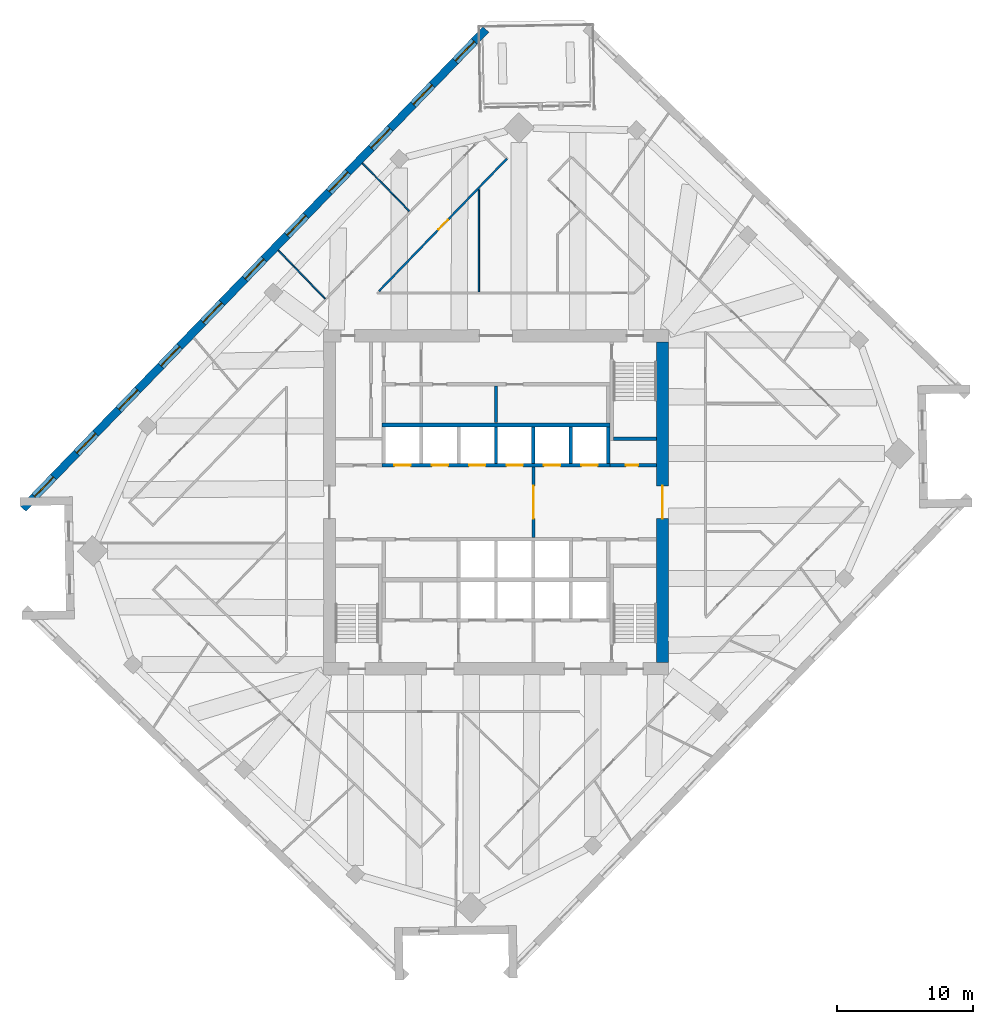
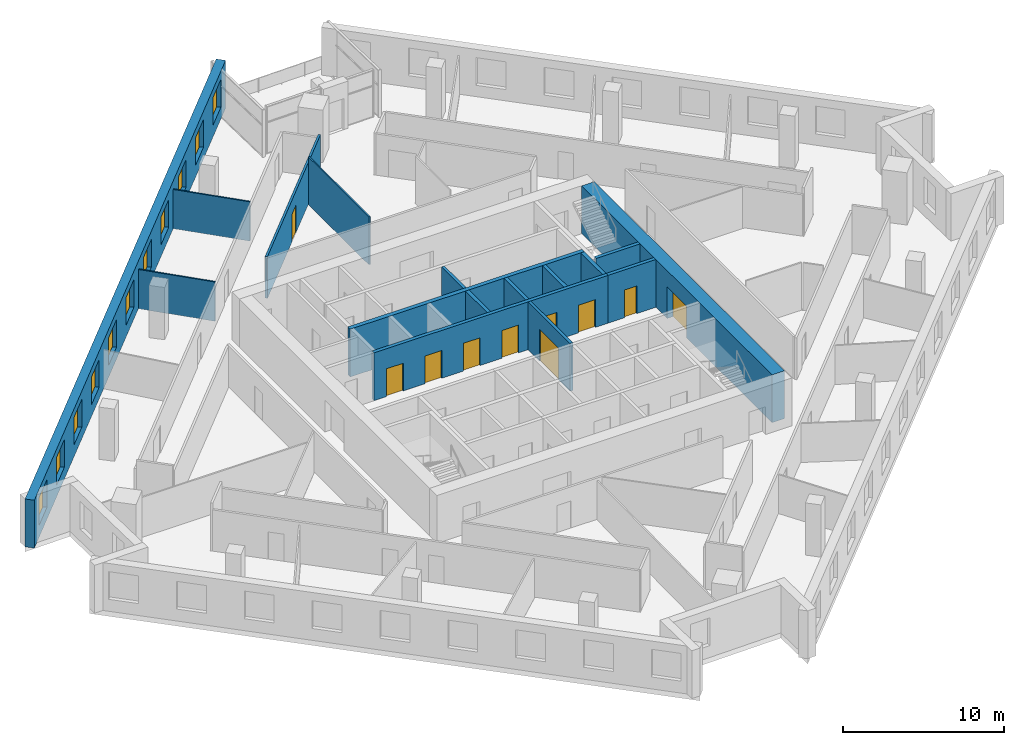
# One storey, part 9 of 13: 16 walls, 11 windows, 10 doors, 21 openings.
"""IFC4 building model written with IfcOpenShell, lengths in metres."""

from ifc_helpers import new_model, si_unit, direction, frame, frame_2d, origin, place, context, subcontext, project, spatial, rectangle, extrude, material, layer, layer_set, type_object, element, fill, save


model = new_model("IFC4")

# Units and contexts
model_context = context("Model", 3, precision=1e-05, world=origin(), true_north=direction((0.0, 1.0)))
body_context = subcontext(model_context, "Body", "Model", "MODEL_VIEW")
ifc_project = project(units=[si_unit("LENGTHUNIT", "METRE"), si_unit("AREAUNIT", "SQUARE_METRE"), si_unit("VOLUMEUNIT", "CUBIC_METRE"), si_unit("PLANEANGLEUNIT", "RADIAN"), si_unit("MASSUNIT", "GRAM", prefix="KILO")], contexts=[model_context])

# Site, building, storey
site_placement = place(None, origin())
site = spatial("IfcSite", under=ifc_project, at=site_placement, CompositionType="ELEMENT")
building_placement = place(site_placement, origin())
building = spatial("IfcBuilding", under=site, at=building_placement, Name="Dilmun Exchange Tower", CompositionType="ELEMENT")
storey_placement = place(building_placement, frame((0.0, 0.0, 213.300048828125)))
storey = spatial("IfcBuildingStorey", under=building, at=storey_placement, Name="L50", CompositionType="ELEMENT", Elevation=213.300048828125)

# Wall, opening, door
ifc_material_1 = material(Name="Concrete C40/50", Category="concrete")
ifc_layer_1 = layer(ifc_material_1, 0.199951171875)
ifc_layer_set_1 = layer_set([ifc_layer_1], Name="Concrete C40/50")
wall_type_1 = type_object("IfcWallType", Name="Core partition wall 200", PredefinedType="PARTITIONING", material=ifc_layer_set_1)
wall_1_placement = place(storey_placement, frame((2.75, -2.594970703125, 0.0), z_axis=(0.0, 0.0, 1.0), x_axis=(0.0, 1.0, 0.0)))
wall_1 = element("IfcWall", 1, at=wall_1_placement, inside=storey, type_object=wall_type_1, Name="L50 core partition wall 11", PredefinedType="PARTITIONING", context=body_context, shape_type="SweptSolid", body=[
    extrude(rectangle(XDim=5.18994140625, YDim=0.199951171875, at=frame_2d((2.594970703125, 0.0))), origin(), (0.0, 0.0, 1.0), 3.619873046875),
])
opening_1_placement = place(wall_1_placement, frame((1.39501953125, 0.0, 0.0)))
opening_1 = element("IfcOpeningElement", 2, at=opening_1_placement, cuts=wall_1, Name="Opening CD1", PredefinedType="OPENING", context=body_context, shape_type="SweptSolid", body=[
    extrude(rectangle(XDim=2.39990234375, YDim=2.39990234375, at=frame_2d((1.199951171875, 1.199951171875))), frame((0.0, 0.10986328125, 0.0), z_axis=(0.0, -1.0, 0.0), x_axis=(1.0, 0.0, 0.0)), (0.0, 0.0, 1.0), 0.219970703125),
])
ifc_material_2 = material(Name="Fire-rated steel door set", Category="steel")
door_type_1 = type_object("IfcDoorType", Name="Core lobby door 2400x2400", OperationType="DOUBLE_DOOR_DOUBLE_SWING", PredefinedType="DOOR", material=ifc_material_2)
door_1_placement = place(opening_1_placement, origin())
door_1 = element("IfcDoor", 3, at=door_1_placement, inside=storey, type_object=door_type_1, Name="L50 door Lift lobby east", OperationType="SINGLE_SWING_LEFT", OverallHeight=2.39990234375, OverallWidth=2.39990234375, PredefinedType="DOOR", context=body_context, shape_type="SweptSolid", body=[
    extrude(rectangle(XDim=2.39990234375, YDim=2.39990234375, at=frame_2d((1.199951171875, 1.199951171875))), frame((0.0, 0.02490234375, 0.0), z_axis=(0.0, -1.0, 0.0), x_axis=(1.0, 0.0, 0.0)), (0.0, 0.0, 1.0), 0.050048828125),
])
fill(opening_1, door_1)

# Wall
wall_2_placement = place(storey_placement, frame((0.0, 5.85498046875, 0.0), z_axis=(0.0, 0.0, 1.0), x_axis=(0.0, 1.0, 0.0)))
element("IfcWall", 4, at=wall_2_placement, inside=storey, type_object=wall_type_1, Name="L50 core partition wall 18", PredefinedType="PARTITIONING", context=body_context, shape_type="SweptSolid", body=[
    extrude(rectangle(XDim=2.68994140625, YDim=0.199951171875, at=frame_2d((1.344970703125, 0.0))), origin(), (0.0, 0.0, 1.0), 3.619873046875),
])

# Wall, opening, door
ifc_layer_2 = layer(ifc_material_1, 0.25)
ifc_layer_set_2 = layer_set([ifc_layer_2], Name="Concrete C40/50")
wall_type_2 = type_object("IfcWallType", Name="Core partition wall 250", PredefinedType="PARTITIONING", material=ifc_layer_set_2)
wall_3_placement = place(storey_placement, frame((8.3798828125, 2.72509765625, 0.0), z_axis=(0.0, 0.0, 1.0), x_axis=(1.0, 0.0, 0.0)))
wall_3 = element("IfcWall", 5, at=wall_3_placement, inside=storey, type_object=wall_type_2, Name="L50 core partition wall 13", PredefinedType="PARTITIONING", context=body_context, shape_type="SweptSolid", body=[
    extrude(rectangle(XDim=3.4150390625, YDim=0.25, at=frame_2d((1.70751953125, 0.0))), origin(), (0.0, 0.0, 1.0), 3.619873046875),
])
opening_2_placement = place(wall_3_placement, frame((1.169921875, 0.0, 0.0)))
opening_2 = element("IfcOpeningElement", 6, at=opening_2_placement, cuts=wall_3, Name="Opening CD6", PredefinedType="OPENING", context=body_context, shape_type="SweptSolid", body=[
    extrude(rectangle(XDim=0.89990234375, YDim=2.10009765625, at=frame_2d((0.449951171875, 1.050048828125))), frame((0.0, 0.135009765625, 0.0), z_axis=(0.0, -1.0, 0.0), x_axis=(1.0, 0.0, 0.0)), (0.0, 0.0, 1.0), 0.27001953125),
])
door_type_2 = type_object("IfcDoorType", Name="Core room door 900x2100", OperationType="SINGLE_SWING_LEFT", PredefinedType="DOOR", material=ifc_material_2)
door_2_placement = place(opening_2_placement, origin())
door_2 = element("IfcDoor", 7, at=door_2_placement, inside=storey, type_object=door_type_2, Name="L50 door Electrical riser", OperationType="SINGLE_SWING_LEFT", OverallHeight=2.10009765625, OverallWidth=0.89990234375, PredefinedType="DOOR", context=body_context, shape_type="SweptSolid", body=[
    extrude(rectangle(XDim=0.89990234375, YDim=2.10009765625, at=frame_2d((0.449951171875, 1.050048828125))), frame((0.0, 0.02490234375, 0.0), z_axis=(0.0, -1.0, 0.0), x_axis=(1.0, 0.0, 0.0)), (0.0, 0.0, 1.0), 0.050048828125),
])
fill(opening_2, door_2)

ifc_material_3 = material(Name="Concrete C60/75", Category="concrete")
ifc_layer_3 = layer(ifc_material_3, 0.89990234375)
ifc_layer_set_3 = layer_set([ifc_layer_3], Name="Concrete C60/75")
wall_type_3 = type_object("IfcWallType", Name="Core shear wall 900 Concrete C60/75", PredefinedType="SHEAR", material=ifc_layer_set_3)
wall_4_placement = place(storey_placement, frame((12.25, -11.800048828125, 0.0), z_axis=(0.0, 0.0, 1.0), x_axis=(0.0, 1.0, 0.0)))
wall_4 = element("IfcWall", 8, at=wall_4_placement, inside=storey, type_object=wall_type_3, Name="L50 core shear wall E", PredefinedType="SHEAR", context=body_context, shape_type="SweptSolid", body=[
    extrude(rectangle(XDim=23.60009765625, YDim=0.89990234375, at=frame_2d((11.800048828125, 0.0))), origin(), (0.0, 0.0, 1.0), 3.619873046875),
])
opening_3_placement = place(wall_4_placement, frame((10.60009765625, 0.0, 0.0)))
opening_3 = element("IfcOpeningElement", 9, at=opening_3_placement, cuts=wall_4, Name="Opening CD1", PredefinedType="OPENING", context=body_context, shape_type="SweptSolid", body=[
    extrude(rectangle(XDim=2.39990234375, YDim=2.39990234375, at=frame_2d((1.199951171875, 1.199951171875))), frame((0.0, 0.4599609375, 0.0), z_axis=(0.0, -1.0, 0.0), x_axis=(1.0, 0.0, 0.0)), (0.0, 0.0, 1.0), 0.919921875),
])
door_3_placement = place(opening_3_placement, origin())
door_3 = element("IfcDoor", 10, at=door_3_placement, inside=storey, type_object=door_type_1, Name="L50 door Central lift lobby", OperationType="SINGLE_SWING_LEFT", OverallHeight=2.39990234375, OverallWidth=2.39990234375, PredefinedType="DOOR", context=body_context, shape_type="SweptSolid", body=[
    extrude(rectangle(XDim=2.39990234375, YDim=2.39990234375, at=frame_2d((1.199951171875, 1.199951171875))), frame((0.0, 0.02490234375, 0.0), z_axis=(0.0, -1.0, 0.0), x_axis=(1.0, 0.0, 0.0)), (0.0, 0.0, 1.0), 0.050048828125),
])
fill(opening_3, door_3)

ifc_material_4 = material(Name="Corridor wall 150")
ifc_layer_4 = layer(ifc_material_4, 0.14990234375)
ifc_layer_set_4 = layer_set([ifc_layer_4], Name="Corridor wall 150")
wall_type_4 = type_object("IfcWallType", Name="Corridor wall 150", PredefinedType="PARTITIONING", material=ifc_layer_set_4)
wall_5_placement = place(storey_placement, frame((-8.6142578125, 15.527099609375, 0.0), z_axis=(0.0, 0.0, 1.0), x_axis=(0.694688688922, 0.719310520905, 0.0)))
wall_5 = element("IfcWall", 11, at=wall_5_placement, inside=storey, type_object=wall_type_4, Name="Corridor wall", PredefinedType="PARTITIONING", context=body_context, shape_type="SweptSolid", body=[
    extrude(rectangle(XDim=13.5546875, YDim=0.14990234375, at=frame_2d((6.77734375, 0.0))), origin(), (0.0, 0.0, 1.0), 3.169921875),
])
opening_4_placement = place(wall_5_placement, frame((6.300048828125, 0.0, 0.0)))
opening_4 = element("IfcOpeningElement", 12, at=opening_4_placement, cuts=wall_5, Name="Opening TF48-D10", PredefinedType="OPENING", context=body_context, shape_type="SweptSolid", body=[
    extrude(rectangle(XDim=1.0, YDim=2.10009765625, at=frame_2d((0.5, 1.050048828125))), frame((0.0, 0.0849609375, 0.0), z_axis=(0.0, -1.0, 0.0), x_axis=(1.0, 0.0, 0.0)), (0.0, 0.0, 1.0), 0.169921875),
])
ifc_material_5 = material(Name="Fire door 1000 x 2100")
door_type_3 = type_object("IfcDoorType", Name="Fire door 1000 x 2100", OperationType="NOTDEFINED", PredefinedType="DOOR", material=ifc_material_5)
door_4_placement = place(opening_4_placement, frame((1.0, 0.0, 0.0), z_axis=(0.0, 0.0, 1.0), x_axis=(-1.0, 0.0, 0.0)))
door_4 = element("IfcDoor", 13, at=door_4_placement, inside=storey, type_object=door_type_3, Name="Door TF48-D10", OperationType="SINGLE_SWING_RIGHT", OverallHeight=2.10009765625, OverallWidth=1.0, PredefinedType="DOOR", context=body_context, shape_type="SweptSolid", body=[
    extrude(rectangle(XDim=1.0, YDim=2.10009765625, at=frame_2d((0.5, 1.050048828125))), frame((0.0, 0.02490234375, 0.0), z_axis=(0.0, -1.0, 0.0), x_axis=(1.0, 0.0, 0.0)), (0.0, 0.0, 1.0), 0.050048828125),
])
fill(opening_4, door_4)

# Wall
ifc_layer_5 = layer(ifc_material_1, 0.300048828125)
ifc_layer_set_5 = layer_set([ifc_layer_5], Name="Concrete C40/50")
wall_type_5 = type_object("IfcWallType", Name="Lift shaft shared wall 300", PredefinedType="SOLIDWALL", material=ifc_layer_set_5)
wall_6_placement = place(storey_placement, frame((-8.375, 5.699951171875, 0.0), z_axis=(0.0, 0.0, 1.0), x_axis=(1.0, 0.0, 0.0)))
element("IfcWall", 14, at=wall_6_placement, inside=storey, type_object=wall_type_5, Name="L50 lift shaft rear wall N", PredefinedType="SOLIDWALL", context=body_context, shape_type="SweptSolid", body=[
    extrude(rectangle(XDim=16.75, YDim=0.300048828125, at=frame_2d((8.375, 0.0))), origin(), (0.0, 0.0, 1.0), 3.619873046875),
])

# Wall, openings, doors
ifc_layer_6 = layer(ifc_material_1, 0.25)
ifc_layer_set_6 = layer_set([ifc_layer_6], Name="Concrete C40/50")
wall_type_6 = type_object("IfcWallType", Name="Lift shaft wall 250", PredefinedType="SOLIDWALL", material=ifc_layer_set_6)
wall_7_placement = place(storey_placement, frame((-8.375, 2.72509765625, 0.0), z_axis=(0.0, 0.0, 1.0), x_axis=(1.0, 0.0, 0.0)))
wall_7 = element("IfcWall", 15, at=wall_7_placement, inside=storey, type_object=wall_type_6, Name="L50 lift shaft front wall N1", PredefinedType="SOLIDWALL", context=body_context, shape_type="SweptSolid", body=[
    extrude(rectangle(XDim=16.75, YDim=0.25, at=frame_2d((8.375, 0.0))), origin(), (0.0, 0.0, 1.0), 3.619873046875),
])
opening_5_placement = place(wall_7_placement, frame((0.89990234375, 0.0, 0.0)))
opening_5 = element("IfcOpeningElement", 16, at=opening_5_placement, cuts=wall_7, Name="Opening LD", PredefinedType="OPENING", context=body_context, shape_type="SweptSolid", body=[
    extrude(rectangle(XDim=1.199951171875, YDim=2.10009765625, at=frame_2d((0.60009765625, 1.050048828125))), frame((0.0, 0.135009765625, 0.0), z_axis=(0.0, -1.0, 0.0), x_axis=(1.0, 0.0, 0.0)), (0.0, 0.0, 1.0), 0.27001953125),
])
opening_6_placement = place(wall_7_placement, frame((3.64990234375, 0.0, 0.0)))
opening_6 = element("IfcOpeningElement", 17, at=opening_6_placement, cuts=wall_7, Name="Opening LD", PredefinedType="OPENING", context=body_context, shape_type="SweptSolid", body=[
    extrude(rectangle(XDim=1.199951171875, YDim=2.10009765625, at=frame_2d((0.60009765625, 1.050048828125))), frame((0.0, 0.135009765625, 0.0), z_axis=(0.0, -1.0, 0.0), x_axis=(1.0, 0.0, 0.0)), (0.0, 0.0, 1.0), 0.27001953125),
])
opening_7_placement = place(wall_7_placement, frame((6.39990234375, 0.0, 0.0)))
opening_7 = element("IfcOpeningElement", 18, at=opening_7_placement, cuts=wall_7, Name="Opening LD", PredefinedType="OPENING", context=body_context, shape_type="SweptSolid", body=[
    extrude(rectangle(XDim=1.199951171875, YDim=2.10009765625, at=frame_2d((0.60009765625, 1.050048828125))), frame((0.0, 0.135009765625, 0.0), z_axis=(0.0, -1.0, 0.0), x_axis=(1.0, 0.0, 0.0)), (0.0, 0.0, 1.0), 0.27001953125),
])
opening_8_placement = place(wall_7_placement, frame((9.14990234375, 0.0, 0.0)))
opening_8 = element("IfcOpeningElement", 19, at=opening_8_placement, cuts=wall_7, Name="Opening LD", PredefinedType="OPENING", context=body_context, shape_type="SweptSolid", body=[
    extrude(rectangle(XDim=1.199951171875, YDim=2.10009765625, at=frame_2d((0.60009765625, 1.050048828125))), frame((0.0, 0.135009765625, 0.0), z_axis=(0.0, -1.0, 0.0), x_axis=(1.0, 0.0, 0.0)), (0.0, 0.0, 1.0), 0.27001953125),
])
opening_9_placement = place(wall_7_placement, frame((11.89990234375, 0.0, 0.0)))
opening_9 = element("IfcOpeningElement", 20, at=opening_9_placement, cuts=wall_7, Name="Opening LD", PredefinedType="OPENING", context=body_context, shape_type="SweptSolid", body=[
    extrude(rectangle(XDim=1.199951171875, YDim=2.10009765625, at=frame_2d((0.60009765625, 1.050048828125))), frame((0.0, 0.135009765625, 0.0), z_axis=(0.0, -1.0, 0.0), x_axis=(1.0, 0.0, 0.0)), (0.0, 0.0, 1.0), 0.27001953125),
])
opening_10_placement = place(wall_7_placement, frame((14.64990234375, 0.0, 0.0)))
opening_10 = element("IfcOpeningElement", 21, at=opening_10_placement, cuts=wall_7, Name="Opening LD", PredefinedType="OPENING", context=body_context, shape_type="SweptSolid", body=[
    extrude(rectangle(XDim=1.199951171875, YDim=2.10009765625, at=frame_2d((0.60009765625, 1.050048828125))), frame((0.0, 0.135009765625, 0.0), z_axis=(0.0, -1.0, 0.0), x_axis=(1.0, 0.0, 0.0)), (0.0, 0.0, 1.0), 0.27001953125),
])
door_type_4 = type_object("IfcDoorType", Name="Lift landing door 1200x2100", OperationType="DOUBLE_DOOR_SLIDING", PredefinedType="DOOR", material=ifc_material_2)
door_5_placement = place(opening_5_placement, origin())
door_5 = element("IfcDoor", 22, at=door_5_placement, inside=storey, type_object=door_type_4, Name="L50 landing door MR1", OperationType="DOUBLE_DOOR_SLIDING", OverallHeight=2.10009765625, OverallWidth=1.199951171875, PredefinedType="DOOR", context=body_context, shape_type="SweptSolid", body=[
    extrude(rectangle(XDim=1.199951171875, YDim=2.10009765625, at=frame_2d((0.60009765625, 1.050048828125))), frame((0.0, 0.02490234375, 0.0), z_axis=(0.0, -1.0, 0.0), x_axis=(1.0, 0.0, 0.0)), (0.0, 0.0, 1.0), 0.050048828125),
])
fill(opening_5, door_5)
door_6_placement = place(opening_6_placement, origin())
door_6 = element("IfcDoor", 23, at=door_6_placement, inside=storey, type_object=door_type_4, Name="L50 landing door MR2", OperationType="DOUBLE_DOOR_SLIDING", OverallHeight=2.10009765625, OverallWidth=1.199951171875, PredefinedType="DOOR", context=body_context, shape_type="SweptSolid", body=[
    extrude(rectangle(XDim=1.199951171875, YDim=2.10009765625, at=frame_2d((0.60009765625, 1.050048828125))), frame((0.0, 0.02490234375, 0.0), z_axis=(0.0, -1.0, 0.0), x_axis=(1.0, 0.0, 0.0)), (0.0, 0.0, 1.0), 0.050048828125),
])
fill(opening_6, door_6)
door_7_placement = place(opening_7_placement, origin())
door_7 = element("IfcDoor", 24, at=door_7_placement, inside=storey, type_object=door_type_4, Name="L50 landing door MR3", OperationType="DOUBLE_DOOR_SLIDING", OverallHeight=2.10009765625, OverallWidth=1.199951171875, PredefinedType="DOOR", context=body_context, shape_type="SweptSolid", body=[
    extrude(rectangle(XDim=1.199951171875, YDim=2.10009765625, at=frame_2d((0.60009765625, 1.050048828125))), frame((0.0, 0.02490234375, 0.0), z_axis=(0.0, -1.0, 0.0), x_axis=(1.0, 0.0, 0.0)), (0.0, 0.0, 1.0), 0.050048828125),
])
fill(opening_7, door_7)
door_8_placement = place(opening_8_placement, origin())
door_8 = element("IfcDoor", 25, at=door_8_placement, inside=storey, type_object=door_type_4, Name="L50 landing door MR4", OperationType="DOUBLE_DOOR_SLIDING", OverallHeight=2.10009765625, OverallWidth=1.199951171875, PredefinedType="DOOR", context=body_context, shape_type="SweptSolid", body=[
    extrude(rectangle(XDim=1.199951171875, YDim=2.10009765625, at=frame_2d((0.60009765625, 1.050048828125))), frame((0.0, 0.02490234375, 0.0), z_axis=(0.0, -1.0, 0.0), x_axis=(1.0, 0.0, 0.0)), (0.0, 0.0, 1.0), 0.050048828125),
])
fill(opening_8, door_8)
door_9_placement = place(opening_9_placement, origin())
door_9 = element("IfcDoor", 26, at=door_9_placement, inside=storey, type_object=door_type_4, Name="L50 landing door MR5", OperationType="DOUBLE_DOOR_SLIDING", OverallHeight=2.10009765625, OverallWidth=1.199951171875, PredefinedType="DOOR", context=body_context, shape_type="SweptSolid", body=[
    extrude(rectangle(XDim=1.199951171875, YDim=2.10009765625, at=frame_2d((0.60009765625, 1.050048828125))), frame((0.0, 0.02490234375, 0.0), z_axis=(0.0, -1.0, 0.0), x_axis=(1.0, 0.0, 0.0)), (0.0, 0.0, 1.0), 0.050048828125),
])
fill(opening_9, door_9)
door_10_placement = place(opening_10_placement, origin())
door_10 = element("IfcDoor", 27, at=door_10_placement, inside=storey, type_object=door_type_4, Name="L50 landing door MR6", OperationType="DOUBLE_DOOR_SLIDING", OverallHeight=2.10009765625, OverallWidth=1.199951171875, PredefinedType="DOOR", context=body_context, shape_type="SweptSolid", body=[
    extrude(rectangle(XDim=1.199951171875, YDim=2.10009765625, at=frame_2d((0.60009765625, 1.050048828125))), frame((0.0, 0.02490234375, 0.0), z_axis=(0.0, -1.0, 0.0), x_axis=(1.0, 0.0, 0.0)), (0.0, 0.0, 1.0), 0.050048828125),
])
fill(opening_10, door_10)

# Walls
for number, where, z_axis, x_axis, name in (
    (28, (0.0, 2.85009765625, 0.0), (0.0, 0.0, 1.0), (0.0, 1.0, 0.0), "L50 lift shaft divider N13"),
    (29, (2.75, 2.85009765625, 0.0), (0.0, 0.0, 1.0), (0.0, 1.0, 0.0), "L50 lift shaft divider N14"),
    (30, (5.5, 2.85009765625, 0.0), (0.0, 0.0, 1.0), (0.0, 1.0, 0.0), "L50 lift shaft divider N15"),
    (31, (8.25, 2.85009765625, 0.0), (0.0, 0.0, 1.0), (0.0, 1.0, 0.0), "L50 lift shaft divider N16"),
):
    element("IfcWall", number, at=place(storey_placement, frame(where, z_axis=z_axis, x_axis=x_axis)), inside=storey, type_object=wall_type_6, Name=name, PredefinedType="SOLIDWALL", context=body_context, shape_type="SweptSolid", body=[
        extrude(rectangle(XDim=2.699951171875, YDim=0.25, at=frame_2d((1.35009765625, 0.0))), origin(), (0.0, 0.0, 1.0), 3.619873046875),
    ])
ifc_material_6 = material(Name="Partition 100")
ifc_layer_7 = layer(ifc_material_6, 0.10009765625)
ifc_layer_set_7 = layer_set([ifc_layer_7], Name="Partition 100")
wall_type_7 = type_object("IfcWallType", Name="Partition 100", PredefinedType="PARTITIONING", material=ifc_layer_set_7)
for number, where, z_axis, x_axis, name in (
    (32, (-16.016845703125, 18.536376953125, 0.0), (0.0, 0.0, 1.0), (0.695803180125, -0.718232507289, 0.0), "Partition"),
    (33, (-9.826416015625, 24.94677734375, 0.0), (0.0, 0.0, 1.0), (0.698133061081, -0.715968036316, 0.0), "Partition"),
):
    element("IfcWall", number, at=place(storey_placement, frame(where, z_axis=z_axis, x_axis=x_axis)), inside=storey, type_object=wall_type_7, Name=name, PredefinedType="PARTITIONING", context=body_context, shape_type="SweptSolid", body=[
        extrude(rectangle(XDim=4.941650390625, YDim=0.10009765625, at=frame_2d((2.470703125, 0.0))), origin(), (0.0, 0.0, 1.0), 2.969970703125),
    ])
wall_8_placement = place(storey_placement, frame((-1.260009765625, 15.47509765625, 0.0), z_axis=(0.0, 0.0, 1.0), x_axis=(0.0, 1.0, 0.0)))
element("IfcWall", 34, at=wall_8_placement, inside=storey, type_object=wall_type_7, Name="Partition", PredefinedType="PARTITIONING", context=body_context, shape_type="SweptSolid", body=[
    extrude(rectangle(XDim=7.50732421875, YDim=0.10009765625, at=frame_2d((3.753662109375, 0.0))), origin(), (0.0, 0.0, 1.0), 3.619873046875),
])

# Wall, openings, windows
ifc_material_7 = material(Name="Precast concrete C50/60", Category="concrete")
ifc_layer_8 = layer(ifc_material_7, 0.60009765625)
ifc_layer_set_8 = layer_set([ifc_layer_8], Name="Precast concrete C50/60")
wall_type_8 = type_object("IfcWallType", Name="Precast stone-clad wall 600", PredefinedType="STANDARD", material=ifc_layer_set_8)
wall_9_placement = place(storey_placement, frame((-0.74853515625, 34.781982421875, 0.0), z_axis=(0.0, 0.0, 1.0), x_axis=(-0.694657553534, -0.719340589233, 0.0)))
wall_9 = element("IfcWall", 35, at=wall_9_placement, inside=storey, type_object=wall_type_8, Name="Facade wall L50-03", PredefinedType="STANDARD", context=body_context, shape_type="SweptSolid", body=[
    extrude(rectangle(XDim=49.000244140625, YDim=0.60009765625, at=frame_2d((24.5, 0.0))), origin(), (0.0, 0.0, 1.0), 3.619873046875),
])
opening_11_placement = place(wall_9_placement, frame((1.227294921875, 0.0, 0.89990234375)))
opening_11 = element("IfcOpeningElement", 36, at=opening_11_placement, cuts=wall_9, Name="Opening W200-210", PredefinedType="OPENING", context=body_context, shape_type="SweptSolid", body=[
    extrude(rectangle(XDim=2.0, YDim=2.10009765625, at=frame_2d((1.0, 1.050048828125))), frame((0.0, 0.31005859375, 0.0), z_axis=(0.0, -1.0, 0.0), x_axis=(1.0, 0.0, 0.0)), (0.0, 0.0, 1.0), 0.6201171875),
])
opening_12_placement = place(wall_9_placement, frame((5.681884765625, 0.0, 0.89990234375)))
opening_12 = element("IfcOpeningElement", 37, at=opening_12_placement, cuts=wall_9, Name="Opening W200-210", PredefinedType="OPENING", context=body_context, shape_type="SweptSolid", body=[
    extrude(rectangle(XDim=2.0, YDim=2.10009765625, at=frame_2d((1.0, 1.050048828125))), frame((0.0, 0.31005859375, 0.0), z_axis=(0.0, -1.0, 0.0), x_axis=(1.0, 0.0, 0.0)), (0.0, 0.0, 1.0), 0.6201171875),
])
opening_13_placement = place(wall_9_placement, frame((10.136474609375, 0.0, 0.89990234375)))
opening_13 = element("IfcOpeningElement", 38, at=opening_13_placement, cuts=wall_9, Name="Opening W200-210", PredefinedType="OPENING", context=body_context, shape_type="SweptSolid", body=[
    extrude(rectangle(XDim=2.0, YDim=2.10009765625, at=frame_2d((1.0, 1.050048828125))), frame((0.0, 0.31005859375, 0.0), z_axis=(0.0, -1.0, 0.0), x_axis=(1.0, 0.0, 0.0)), (0.0, 0.0, 1.0), 0.6201171875),
])
opening_14_placement = place(wall_9_placement, frame((14.5908203125, 0.0, 0.89990234375)))
opening_14 = element("IfcOpeningElement", 39, at=opening_14_placement, cuts=wall_9, Name="Opening W200-210", PredefinedType="OPENING", context=body_context, shape_type="SweptSolid", body=[
    extrude(rectangle(XDim=2.0, YDim=2.10009765625, at=frame_2d((1.0, 1.050048828125))), frame((0.0, 0.31005859375, 0.0), z_axis=(0.0, -1.0, 0.0), x_axis=(1.0, 0.0, 0.0)), (0.0, 0.0, 1.0), 0.6201171875),
])
opening_15_placement = place(wall_9_placement, frame((19.04541015625, 0.0, 0.89990234375)))
opening_15 = element("IfcOpeningElement", 40, at=opening_15_placement, cuts=wall_9, Name="Opening W200-210", PredefinedType="OPENING", context=body_context, shape_type="SweptSolid", body=[
    extrude(rectangle(XDim=2.0, YDim=2.10009765625, at=frame_2d((1.0, 1.050048828125))), frame((0.0, 0.31005859375, 0.0), z_axis=(0.0, -1.0, 0.0), x_axis=(1.0, 0.0, 0.0)), (0.0, 0.0, 1.0), 0.6201171875),
])
opening_16_placement = place(wall_9_placement, frame((23.5, 0.0, 0.89990234375)))
opening_16 = element("IfcOpeningElement", 41, at=opening_16_placement, cuts=wall_9, Name="Opening W200-210", PredefinedType="OPENING", context=body_context, shape_type="SweptSolid", body=[
    extrude(rectangle(XDim=2.0, YDim=2.10009765625, at=frame_2d((1.0, 1.050048828125))), frame((0.0, 0.31005859375, 0.0), z_axis=(0.0, -1.0, 0.0), x_axis=(1.0, 0.0, 0.0)), (0.0, 0.0, 1.0), 0.6201171875),
])
opening_17_placement = place(wall_9_placement, frame((27.95458984375, 0.0, 0.89990234375)))
opening_17 = element("IfcOpeningElement", 42, at=opening_17_placement, cuts=wall_9, Name="Opening W200-210", PredefinedType="OPENING", context=body_context, shape_type="SweptSolid", body=[
    extrude(rectangle(XDim=2.0, YDim=2.10009765625, at=frame_2d((1.0, 1.050048828125))), frame((0.0, 0.31005859375, 0.0), z_axis=(0.0, -1.0, 0.0), x_axis=(1.0, 0.0, 0.0)), (0.0, 0.0, 1.0), 0.6201171875),
])
opening_18_placement = place(wall_9_placement, frame((32.4091796875, 0.0, 0.89990234375)))
opening_18 = element("IfcOpeningElement", 43, at=opening_18_placement, cuts=wall_9, Name="Opening W200-210", PredefinedType="OPENING", context=body_context, shape_type="SweptSolid", body=[
    extrude(rectangle(XDim=2.0, YDim=2.10009765625, at=frame_2d((1.0, 1.050048828125))), frame((0.0, 0.31005859375, 0.0), z_axis=(0.0, -1.0, 0.0), x_axis=(1.0, 0.0, 0.0)), (0.0, 0.0, 1.0), 0.6201171875),
])
opening_19_placement = place(wall_9_placement, frame((36.863525390625, 0.0, 0.89990234375)))
opening_19 = element("IfcOpeningElement", 44, at=opening_19_placement, cuts=wall_9, Name="Opening W200-210", PredefinedType="OPENING", context=body_context, shape_type="SweptSolid", body=[
    extrude(rectangle(XDim=2.0, YDim=2.10009765625, at=frame_2d((1.0, 1.050048828125))), frame((0.0, 0.31005859375, 0.0), z_axis=(0.0, -1.0, 0.0), x_axis=(1.0, 0.0, 0.0)), (0.0, 0.0, 1.0), 0.6201171875),
])
opening_20_placement = place(wall_9_placement, frame((41.318115234375, 0.0, 0.89990234375)))
opening_20 = element("IfcOpeningElement", 45, at=opening_20_placement, cuts=wall_9, Name="Opening W200-210", PredefinedType="OPENING", context=body_context, shape_type="SweptSolid", body=[
    extrude(rectangle(XDim=2.0, YDim=2.10009765625, at=frame_2d((1.0, 1.050048828125))), frame((0.0, 0.31005859375, 0.0), z_axis=(0.0, -1.0, 0.0), x_axis=(1.0, 0.0, 0.0)), (0.0, 0.0, 1.0), 0.6201171875),
])
opening_21_placement = place(wall_9_placement, frame((45.772705078125, 0.0, 0.89990234375)))
opening_21 = element("IfcOpeningElement", 46, at=opening_21_placement, cuts=wall_9, Name="Opening W200-210", PredefinedType="OPENING", context=body_context, shape_type="SweptSolid", body=[
    extrude(rectangle(XDim=2.0, YDim=2.10009765625, at=frame_2d((1.0, 1.050048828125))), frame((0.0, 0.31005859375, 0.0), z_axis=(0.0, -1.0, 0.0), x_axis=(1.0, 0.0, 0.0)), (0.0, 0.0, 1.0), 0.6201171875),
])
ifc_material_8 = material(Name="Clear low-emissivity glass in aluminium frame", Category="aluminium")
window_type = type_object("IfcWindowType", Name="Punched window 2000 x 2100", PartitioningType="DOUBLE_PANEL_VERTICAL", PredefinedType="WINDOW", material=ifc_material_8)
window_1_placement = place(opening_11_placement, origin())
window_1 = element("IfcWindow", 47, at=window_1_placement, inside=storey, type_object=window_type, Name="Window 4.1", OverallHeight=2.10009765625, OverallWidth=2.0, PartitioningType="SINGLE_PANEL", PredefinedType="WINDOW", context=body_context, shape_type="SweptSolid", body=[
    extrude(rectangle(XDim=2.0, YDim=2.10009765625, at=frame_2d((1.0, 1.050048828125))), frame((0.0, 0.030029296875, 0.0), z_axis=(0.0, -1.0, 0.0), x_axis=(1.0, 0.0, 0.0)), (0.0, 0.0, 1.0), 0.06005859375),
])
fill(opening_11, window_1)
window_2_placement = place(opening_12_placement, origin())
window_2 = element("IfcWindow", 48, at=window_2_placement, inside=storey, type_object=window_type, Name="Window 4.2", OverallHeight=2.10009765625, OverallWidth=2.0, PartitioningType="SINGLE_PANEL", PredefinedType="WINDOW", context=body_context, shape_type="SweptSolid", body=[
    extrude(rectangle(XDim=2.0, YDim=2.10009765625, at=frame_2d((1.0, 1.050048828125))), frame((0.0, 0.030029296875, 0.0), z_axis=(0.0, -1.0, 0.0), x_axis=(1.0, 0.0, 0.0)), (0.0, 0.0, 1.0), 0.06005859375),
])
fill(opening_12, window_2)
window_3_placement = place(opening_13_placement, origin())
window_3 = element("IfcWindow", 49, at=window_3_placement, inside=storey, type_object=window_type, Name="Window 4.3", OverallHeight=2.10009765625, OverallWidth=2.0, PartitioningType="SINGLE_PANEL", PredefinedType="WINDOW", context=body_context, shape_type="SweptSolid", body=[
    extrude(rectangle(XDim=2.0, YDim=2.10009765625, at=frame_2d((1.0, 1.050048828125))), frame((0.0, 0.030029296875, 0.0), z_axis=(0.0, -1.0, 0.0), x_axis=(1.0, 0.0, 0.0)), (0.0, 0.0, 1.0), 0.06005859375),
])
fill(opening_13, window_3)
window_4_placement = place(opening_14_placement, origin())
window_4 = element("IfcWindow", 50, at=window_4_placement, inside=storey, type_object=window_type, Name="Window 4.4", OverallHeight=2.10009765625, OverallWidth=2.0, PartitioningType="SINGLE_PANEL", PredefinedType="WINDOW", context=body_context, shape_type="SweptSolid", body=[
    extrude(rectangle(XDim=2.0, YDim=2.10009765625, at=frame_2d((1.0, 1.050048828125))), frame((0.0, 0.030029296875, 0.0), z_axis=(0.0, -1.0, 0.0), x_axis=(1.0, 0.0, 0.0)), (0.0, 0.0, 1.0), 0.06005859375),
])
fill(opening_14, window_4)
window_5_placement = place(opening_15_placement, origin())
window_5 = element("IfcWindow", 51, at=window_5_placement, inside=storey, type_object=window_type, Name="Window 4.5", OverallHeight=2.10009765625, OverallWidth=2.0, PartitioningType="SINGLE_PANEL", PredefinedType="WINDOW", context=body_context, shape_type="SweptSolid", body=[
    extrude(rectangle(XDim=2.0, YDim=2.10009765625, at=frame_2d((1.0, 1.050048828125))), frame((0.0, 0.030029296875, 0.0), z_axis=(0.0, -1.0, 0.0), x_axis=(1.0, 0.0, 0.0)), (0.0, 0.0, 1.0), 0.06005859375),
])
fill(opening_15, window_5)
window_6_placement = place(opening_16_placement, origin())
window_6 = element("IfcWindow", 52, at=window_6_placement, inside=storey, type_object=window_type, Name="Window 4.6", OverallHeight=2.10009765625, OverallWidth=2.0, PartitioningType="SINGLE_PANEL", PredefinedType="WINDOW", context=body_context, shape_type="SweptSolid", body=[
    extrude(rectangle(XDim=2.0, YDim=2.10009765625, at=frame_2d((1.0, 1.050048828125))), frame((0.0, 0.030029296875, 0.0), z_axis=(0.0, -1.0, 0.0), x_axis=(1.0, 0.0, 0.0)), (0.0, 0.0, 1.0), 0.06005859375),
])
fill(opening_16, window_6)
window_7_placement = place(opening_17_placement, origin())
window_7 = element("IfcWindow", 53, at=window_7_placement, inside=storey, type_object=window_type, Name="Window 4.7", OverallHeight=2.10009765625, OverallWidth=2.0, PartitioningType="SINGLE_PANEL", PredefinedType="WINDOW", context=body_context, shape_type="SweptSolid", body=[
    extrude(rectangle(XDim=2.0, YDim=2.10009765625, at=frame_2d((1.0, 1.050048828125))), frame((0.0, 0.030029296875, 0.0), z_axis=(0.0, -1.0, 0.0), x_axis=(1.0, 0.0, 0.0)), (0.0, 0.0, 1.0), 0.06005859375),
])
fill(opening_17, window_7)
window_8_placement = place(opening_18_placement, origin())
window_8 = element("IfcWindow", 54, at=window_8_placement, inside=storey, type_object=window_type, Name="Window 4.8", OverallHeight=2.10009765625, OverallWidth=2.0, PartitioningType="SINGLE_PANEL", PredefinedType="WINDOW", context=body_context, shape_type="SweptSolid", body=[
    extrude(rectangle(XDim=2.0, YDim=2.10009765625, at=frame_2d((1.0, 1.050048828125))), frame((0.0, 0.030029296875, 0.0), z_axis=(0.0, -1.0, 0.0), x_axis=(1.0, 0.0, 0.0)), (0.0, 0.0, 1.0), 0.06005859375),
])
fill(opening_18, window_8)
window_9_placement = place(opening_19_placement, origin())
window_9 = element("IfcWindow", 55, at=window_9_placement, inside=storey, type_object=window_type, Name="Window 4.9", OverallHeight=2.10009765625, OverallWidth=2.0, PartitioningType="SINGLE_PANEL", PredefinedType="WINDOW", context=body_context, shape_type="SweptSolid", body=[
    extrude(rectangle(XDim=2.0, YDim=2.10009765625, at=frame_2d((1.0, 1.050048828125))), frame((0.0, 0.030029296875, 0.0), z_axis=(0.0, -1.0, 0.0), x_axis=(1.0, 0.0, 0.0)), (0.0, 0.0, 1.0), 0.06005859375),
])
fill(opening_19, window_9)
window_10_placement = place(opening_20_placement, origin())
window_10 = element("IfcWindow", 56, at=window_10_placement, inside=storey, type_object=window_type, Name="Window 4.10", OverallHeight=2.10009765625, OverallWidth=2.0, PartitioningType="SINGLE_PANEL", PredefinedType="WINDOW", context=body_context, shape_type="SweptSolid", body=[
    extrude(rectangle(XDim=2.0, YDim=2.10009765625, at=frame_2d((1.0, 1.050048828125))), frame((0.0, 0.030029296875, 0.0), z_axis=(0.0, -1.0, 0.0), x_axis=(1.0, 0.0, 0.0)), (0.0, 0.0, 1.0), 0.06005859375),
])
fill(opening_20, window_10)
window_11_placement = place(opening_21_placement, origin())
window_11 = element("IfcWindow", 57, at=window_11_placement, inside=storey, type_object=window_type, Name="Window 4.11", OverallHeight=2.10009765625, OverallWidth=2.0, PartitioningType="SINGLE_PANEL", PredefinedType="WINDOW", context=body_context, shape_type="SweptSolid", body=[
    extrude(rectangle(XDim=2.0, YDim=2.10009765625, at=frame_2d((1.0, 1.050048828125))), frame((0.0, 0.030029296875, 0.0), z_axis=(0.0, -1.0, 0.0), x_axis=(1.0, 0.0, 0.0)), (0.0, 0.0, 1.0), 0.06005859375),
])
fill(opening_21, window_11)

# Wall
ifc_layer_9 = layer(ifc_material_1, 0.25)
ifc_layer_set_9 = layer_set([ifc_layer_9], Name="Concrete C40/50")
wall_type_9 = type_object("IfcWallType", Name="Stair end wall 250", PredefinedType="SOLIDWALL", material=ifc_layer_set_9)
wall_10_placement = place(storey_placement, frame((8.64990234375, 4.675048828125, 0.0), z_axis=(0.0, 0.0, 1.0), x_axis=(1.0, 0.0, 0.0)))
element("IfcWall", 58, at=wall_10_placement, inside=storey, type_object=wall_type_9, Name="L50 ST1 far wall", PredefinedType="SOLIDWALL", context=body_context, shape_type="SweptSolid", body=[
    extrude(rectangle(XDim=3.150146484375, YDim=0.25, at=frame_2d((1.5751953125, 0.0))), origin(), (0.0, 0.0, 1.0), 3.619873046875),
])

save(model, "model.ifc")
